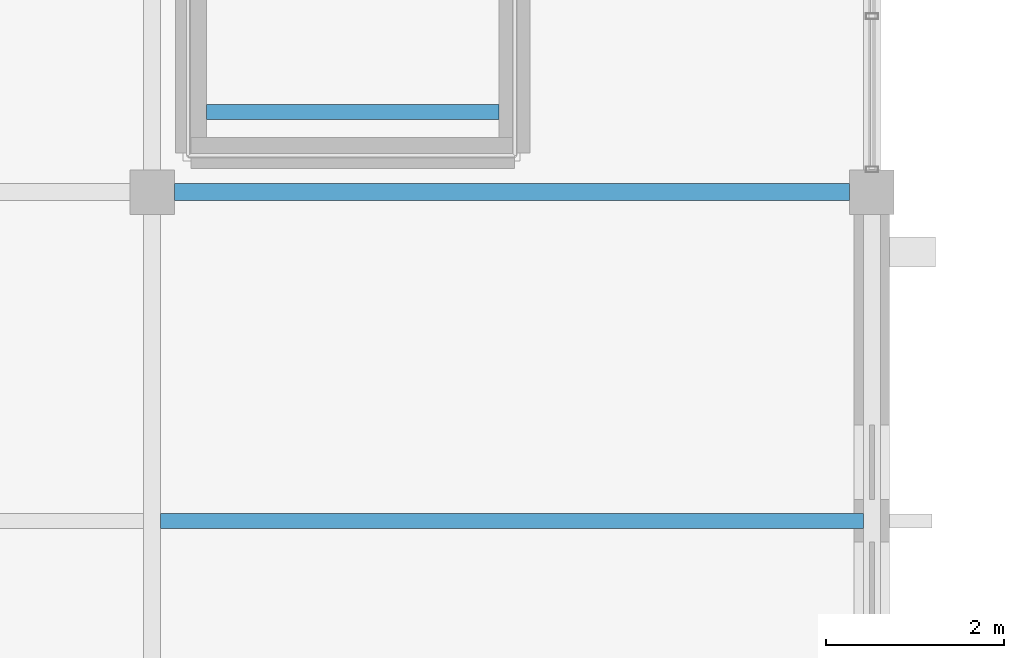
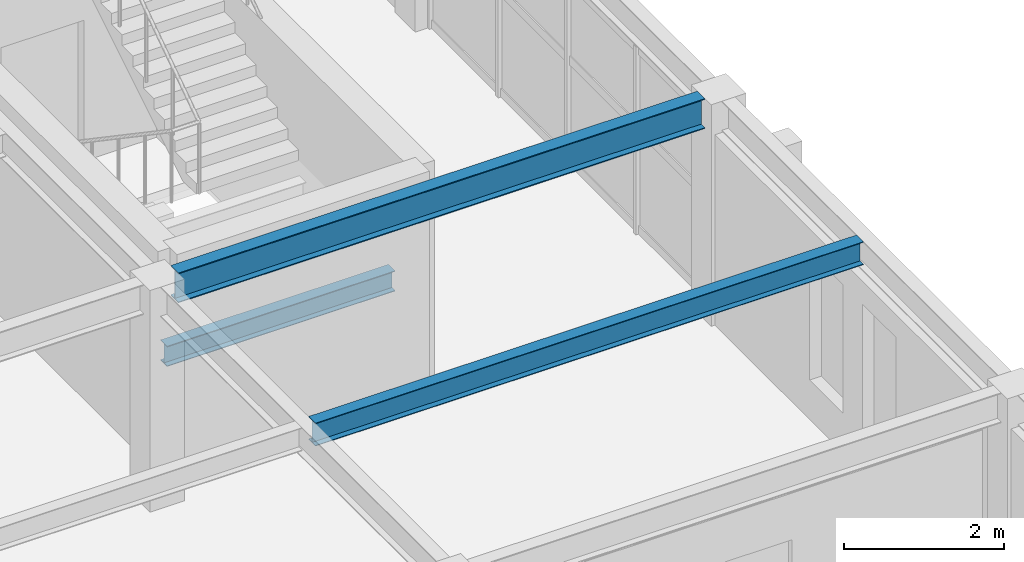
# One storey, part 41 of 93: 3 beams.
"""IFC4 building model written with IfcOpenShell, lengths in metres."""

from ifc_helpers import new_model, si_unit, direction, frame, origin, origin_2d, place, context, subcontext, project, spatial, i_section, extrude, material, material_profile, profile_set, type_object, element, save


model = new_model("IFC4")

# Units and contexts
model_context = context("Model", 3, precision=1e-05, world=origin(), true_north=direction((0.0, 1.0)))
body_context = subcontext(model_context, "Body", "Model", "MODEL_VIEW")
ifc_project = project(units=[si_unit("LENGTHUNIT", "METRE"), si_unit("AREAUNIT", "SQUARE_METRE"), si_unit("VOLUMEUNIT", "CUBIC_METRE"), si_unit("PLANEANGLEUNIT", "RADIAN"), si_unit("MASSUNIT", "GRAM", prefix="KILO")], contexts=[model_context])

# Site, building, storey
site_placement = place(None, origin())
site = spatial("IfcSite", under=ifc_project, at=site_placement, CompositionType="ELEMENT")
building_placement = place(site_placement, origin())
building = spatial("IfcBuilding", under=site, at=building_placement, Name="Cimatlan Art Gallery", CompositionType="ELEMENT")
storey_placement = place(building_placement, frame((0.0, 0.0, 13.800048828125)))
storey = spatial("IfcBuildingStorey", under=building, at=storey_placement, Name="L03", CompositionType="ELEMENT", Elevation=13.800048828125)

# Beams
ifc_material = material(Name="Steel ASTM A992 Grade 50", Category="steel")
ifc_material_profile_1 = material_profile(ifc_material, i_section(OverallWidth=0.1650390625, OverallDepth=0.31005859375, WebThickness=0.005859375, FlangeThickness=0.009765625, at=origin_2d()), Name="W12X26")
ifc_profile_set_1 = profile_set([ifc_material_profile_1], Name="Steel ASTM A992 Grade 50")
beam_type_1 = type_object("IfcBeamType", Name="BM-STL-W12X26", PredefinedType="JOIST", material=ifc_profile_set_1)
beam_1_placement = place(storey_placement, frame((124.114990234375, 47.0, 1.425048828125), z_axis=(1.0, 0.0, 0.0), x_axis=(0.0, 1.0, 0.0)))
element("IfcBeam", 1, at=beam_1_placement, inside=storey, type_object=beam_type_1, Name="BM-STR-C9-L03-LH1", PredefinedType="JOIST", context=body_context, shape_type="SweptSolid", body=[
    extrude(i_section(OverallWidth=0.1650390625, OverallDepth=0.31005859375, WebThickness=0.005859375, FlangeThickness=0.009765625, at=origin_2d()), origin(), (0.0, 0.0, 1.0), 3.2900390625),
])
ifc_material_profile_2 = material_profile(ifc_material, i_section(OverallWidth=0.1708984375, OverallDepth=0.35107421875, WebThickness=0.0068359375, FlangeThickness=0.009765625, at=origin_2d()), Name="W14X30")
ifc_profile_set_2 = profile_set([ifc_material_profile_2], Name="Steel ASTM A992 Grade 50")
beam_type_2 = type_object("IfcBeamType", Name="BM-STL-W14X30", PredefinedType="JOIST", material=ifc_profile_set_2)
beam_2_placement = place(storey_placement, frame((123.595458984375, 42.39990234375, 3.204345703125), z_axis=(1.0, 0.0, 0.0), x_axis=(0.0, 1.0, 0.0)))
element("IfcBeam", 2, at=beam_2_placement, inside=storey, type_object=beam_type_2, Name="JST-L03-15-05", PredefinedType="JOIST", context=body_context, shape_type="SweptSolid", body=[
    extrude(i_section(OverallWidth=0.1708984375, OverallDepth=0.35107421875, WebThickness=0.0068359375, FlangeThickness=0.009765625, at=origin_2d()), origin(), (0.0, 0.0, 1.0), 7.908935546875),
])
ifc_material_profile_3 = material_profile(ifc_material, i_section(OverallWidth=0.19091796875, OverallDepth=0.45703125, WebThickness=0.009033203125, FlangeThickness=0.014404296875, at=origin_2d()), Name="W18X50")
ifc_profile_set_3 = profile_set([ifc_material_profile_3], Name="Steel ASTM A992 Grade 50")
beam_type_3 = type_object("IfcBeamType", Name="BM-STL-W18X50", PredefinedType="BEAM", material=ifc_profile_set_3)
beam_3_placement = place(storey_placement, frame((123.75, 46.10009765625, 3.1513671875), z_axis=(1.0, 0.0, 0.0), x_axis=(0.0, 1.0, 0.0)))
element("IfcBeam", 3, at=beam_3_placement, inside=storey, type_object=beam_type_3, Name="BM-X-L03-15-06", PredefinedType="BEAM", context=body_context, shape_type="SweptSolid", body=[
    extrude(i_section(OverallWidth=0.19091796875, OverallDepth=0.45703125, WebThickness=0.009033203125, FlangeThickness=0.014404296875, at=origin_2d()), origin(), (0.0, 0.0, 1.0), 7.60009765625),
])

save(model, "model.ifc")
